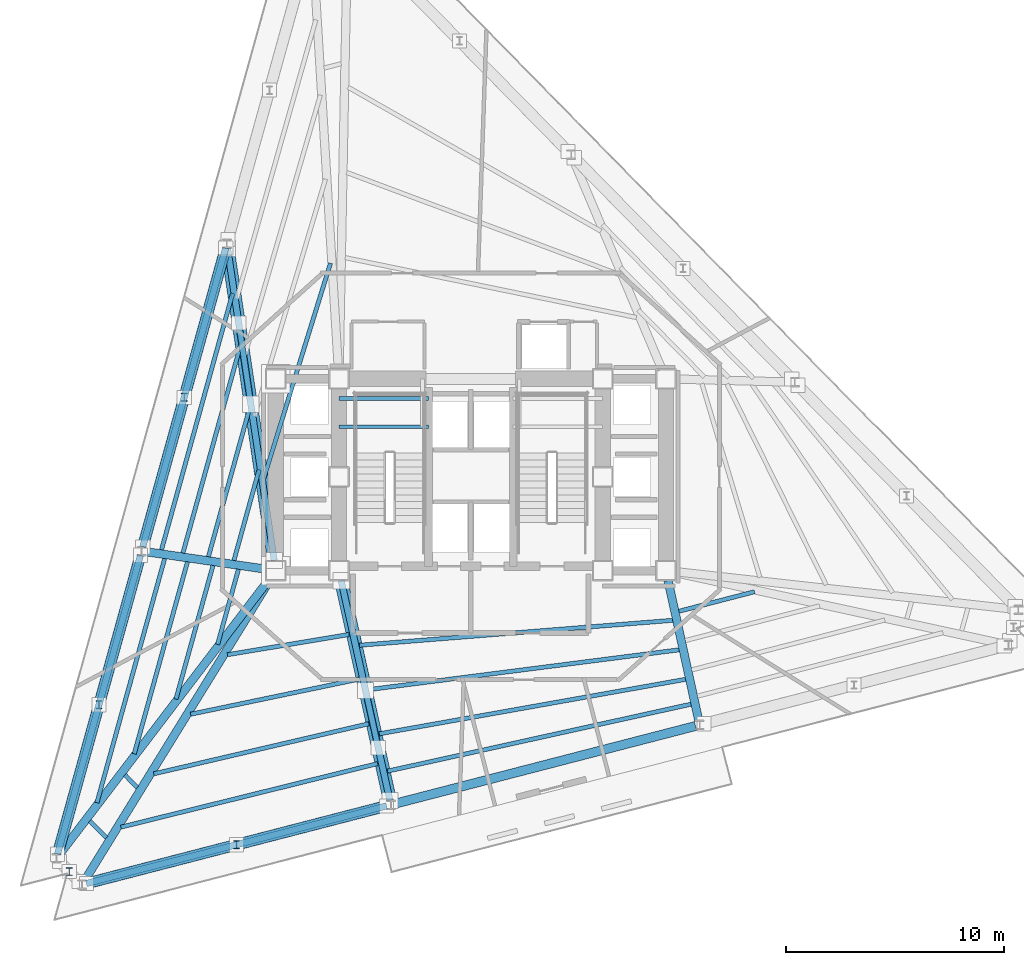
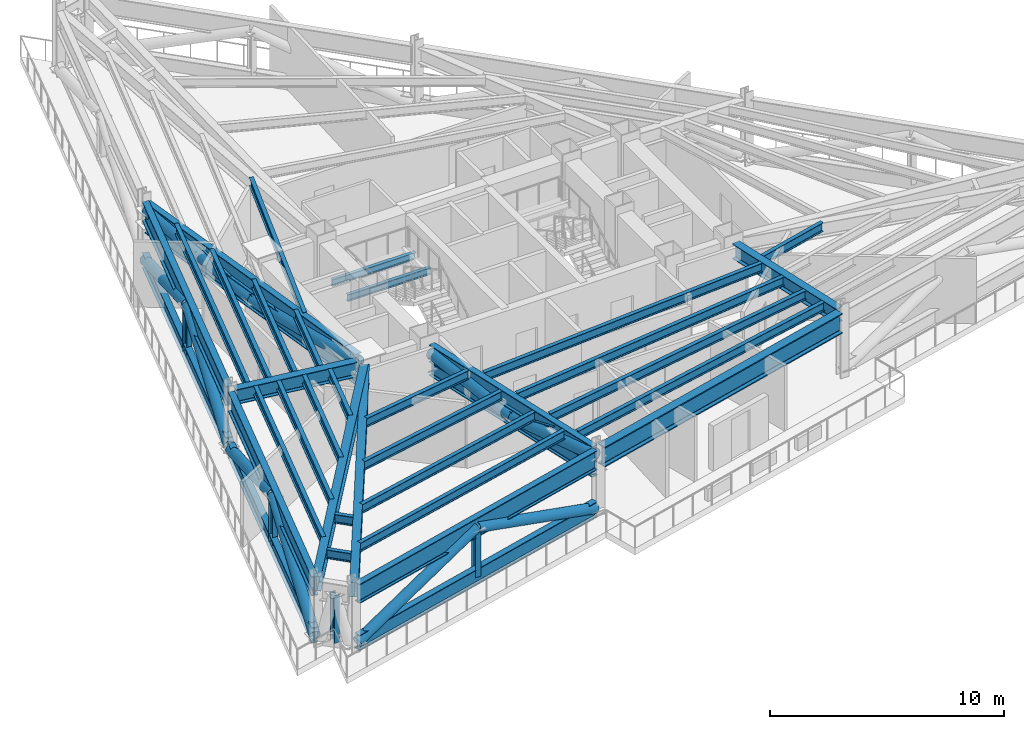
# One storey, part 2 of 11: 30 beams, 23 members.
"""IFC4 building model written with IfcOpenShell, lengths in metres."""

from ifc_helpers import new_model, si_unit, direction, frame, origin, origin_2d, place, context, subcontext, project, spatial, hollow_circle, i_section, extrude, material, material_profile, profile_set, type_object, element, save


model = new_model("IFC4")

# Units and contexts
model_context = context("Model", 3, precision=1e-05, world=origin(), true_north=direction((0.0, 1.0)))
body_context = subcontext(model_context, "Body", "Model", "MODEL_VIEW")
ifc_project = project(units=[si_unit("LENGTHUNIT", "METRE"), si_unit("AREAUNIT", "SQUARE_METRE"), si_unit("VOLUMEUNIT", "CUBIC_METRE"), si_unit("PLANEANGLEUNIT", "RADIAN"), si_unit("MASSUNIT", "GRAM", prefix="KILO")], contexts=[model_context])

# Site, building, storey
site_placement = place(None, origin())
site = spatial("IfcSite", under=ifc_project, at=site_placement, CompositionType="ELEMENT")
building_placement = place(site_placement, origin())
building = spatial("IfcBuilding", under=site, at=building_placement, Name="Rocaltana Carrier Exchange", CompositionType="ELEMENT")
storey_placement = place(building_placement, frame((0.0, 0.0, 100.800048828125)))
storey = spatial("IfcBuildingStorey", under=building, at=storey_placement, Name="L31", CompositionType="ELEMENT", Elevation=100.800048828125)

# Members
ifc_material_1 = material(Name="Steel S460", Category="steel")
ifc_material_profile_1 = material_profile(ifc_material_1, i_section(OverallWidth=0.300048828125, OverallDepth=0.800048828125, WebThickness=0.017578125, FlangeThickness=0.032958984375, FilletRadius=0.030029296875, at=origin_2d()), Name="HEB800")
ifc_profile_set_1 = profile_set([ifc_material_profile_1], Name="Steel S460")
member_type_1 = type_object("IfcMemberType", Name="Belt Truss Chord HEB800", PredefinedType="CHORD", material=ifc_profile_set_1)
for number, where, z_axis, x_axis, name in (
    (1, (-11.248046875, 10.50244140625, 0.349853515625), (-0.267232347751, -0.963632124991, 0.0), (0.963632124991, -0.267232347751, 0.0), "L31 Belt Truss Bottom Chord 6"),
    (2, (-15.15869140625, -3.5986328125, 0.349853515625), (-0.267232347751, -0.963632124991, 0.0), (0.963632124991, -0.267232347751, 0.0), "L31 Belt Truss Bottom Chord 7"),
    (3, (-17.638671875, -18.65625, 0.349853515625), (0.968147700404, 0.250379771953, 0.0), (-0.250379771953, 0.968147700404, 0.0), "L31 Belt Truss Bottom Chord 9"),
):
    element("IfcMember", number, at=place(storey_placement, frame(where, z_axis=z_axis, x_axis=x_axis)), inside=storey, type_object=member_type_1, Name=name, PredefinedType="CHORD", context=body_context, shape_type="SweptSolid", body=[
        extrude(i_section(OverallWidth=0.300048828125, OverallDepth=0.800048828125, WebThickness=0.017578125, FlangeThickness=0.032958984375, FilletRadius=0.030029296875, at=origin_2d()), origin(), (0.0, 0.0, 1.0), 14.229248046875),
    ])
ifc_material_2 = material(Name="Steel S460", Category="steel")
ifc_material_profile_2 = material_profile(ifc_material_2, hollow_circle(Radius=0.25390625, WallThickness=0.02001953125, at=origin_2d()), Name="CHS508X20")
ifc_profile_set_2 = profile_set([ifc_material_profile_2], Name="Steel S460")
member_type_2 = type_object("IfcMemberType", Name="Belt Truss Diagonal CHS508", PredefinedType="BRACE", material=ifc_profile_set_2)
for number, where, z_axis, x_axis, name in (
    (4, (-11.248046875, 10.50244140625, 0.349853515625), (-0.252271185161, -0.909608005971, 0.330109867485), (0.963626481057, -0.267252698781, 0.0), "L31 Belt Truss Diagonal 6A"),
    (5, (-13.1494140625, 3.646728515625, 2.837890625), (-0.252233421942, -0.909621029277, -0.33010283845), (0.963637768361, -0.267211997088, 0.0), "L31 Belt Truss Diagonal 6B"),
    (6, (-15.15869140625, -3.5986328125, 0.349853515625), (-0.252233421942, -0.909621029277, 0.33010283845), (0.963637768361, -0.267211997088, 0.0), "L31 Belt Truss Diagonal 7A"),
    (7, (-17.059814453125, -10.45458984375, 2.837890625), (-0.252271185161, -0.909608005971, -0.330109867485), (0.963626481057, -0.267252698781, 0.0), "L31 Belt Truss Diagonal 7B"),
):
    element("IfcMember", number, at=place(storey_placement, frame(where, z_axis=z_axis, x_axis=x_axis)), inside=storey, type_object=member_type_2, Name=name, PredefinedType="BRACE", context=body_context, shape_type="SweptSolid", body=[
        extrude(hollow_circle(Radius=0.25390625, WallThickness=0.02001953125, at=origin_2d()), origin(), (0.0, 0.0, 1.0), 7.537109375),
    ])
member_1_placement = place(storey_placement, frame((-17.638671875, -18.65625, 0.349853515625), z_axis=(0.913884582394, 0.236326005286, 0.33009845393), x_axis=(-0.250359531165, 0.968152934797, 0.0)))
element("IfcMember", 8, at=member_1_placement, inside=storey, type_object=member_type_2, Name="L31 Belt Truss Diagonal 9A", PredefinedType="BRACE", context=body_context, shape_type="SweptSolid", body=[
    extrude(hollow_circle(Radius=0.25390625, WallThickness=0.02001953125, at=origin_2d()), origin(), (0.0, 0.0, 1.0), 7.537353515625),
])
member_2_placement = place(storey_placement, frame((-10.75048828125, -16.875, 2.837890625), z_axis=(0.913872247161, 0.236363583721, -0.330105698466), x_axis=(-0.250400013131, 0.968142465459, 0.0)))
element("IfcMember", 9, at=member_2_placement, inside=storey, type_object=member_type_2, Name="L31 Belt Truss Diagonal 9B", PredefinedType="BRACE", context=body_context, shape_type="SweptSolid", body=[
    extrude(hollow_circle(Radius=0.25390625, WallThickness=0.02001953125, at=origin_2d()), origin(), (0.0, 0.0, 1.0), 7.537109375),
])
ifc_material_3 = material(Name="Steel S460", Category="steel")
ifc_material_profile_3 = material_profile(ifc_material_3, i_section(OverallWidth=0.257080078125, OverallDepth=0.363037109375, WebThickness=0.012939453125, FlangeThickness=0.021728515625, FilletRadius=0.014892578125, at=origin_2d()), Name="W14X82")
ifc_profile_set_3 = profile_set([ifc_material_profile_3], Name="Steel S460")
member_type_3 = type_object("IfcMemberType", Name="Belt Truss Post W14X82", PredefinedType="POST", material=ifc_profile_set_3)
for number, where, z_axis, x_axis, name in (
    (10, (-13.1494140625, 3.646728515625, 0.349853515625), (0.0, 0.0, 1.0), (1.0, 0.0, 0.0), "L31 Belt Truss Post 6"),
    (11, (-17.059814453125, -10.45458984375, 0.349853515625), (0.0, 0.0, 1.0), (1.0, 0.0, 0.0), "L31 Belt Truss Post 7"),
    (12, (-18.4248046875, -18.10595703125, 0.349853515625), (0.0, 0.0, 1.0), (1.0, 0.0, 0.0), "L31 Belt Truss Post 8"),
    (13, (-10.75048828125, -16.875, 0.349853515625), (0.0, 0.0, 1.0), (1.0, 0.0, 0.0), "L31 Belt Truss Post 9"),
):
    element("IfcMember", number, at=place(storey_placement, frame(where, z_axis=z_axis, x_axis=x_axis)), inside=storey, type_object=member_type_3, Name=name, PredefinedType="POST", context=body_context, shape_type="SweptSolid", body=[
        extrude(i_section(OverallWidth=0.257080078125, OverallDepth=0.363037109375, WebThickness=0.012939453125, FlangeThickness=0.021728515625, FilletRadius=0.014892578125, at=origin_2d()), origin(), (0.0, 0.0, 1.0), 2.488037109375),
    ])

# Beams
ifc_material_4 = material(Name="Steel S355", Category="steel")
ifc_material_profile_4 = material_profile(ifc_material_4, i_section(OverallWidth=0.172119140625, OverallDepth=0.35791015625, WebThickness=0.0078125, FlangeThickness=0.01318359375, FilletRadius=0.011962890625, at=origin_2d()), Name="W14X38")
ifc_profile_set_4 = profile_set([ifc_material_profile_4], Name="Steel S355")
beam_type_1 = type_object("IfcBeamType", Name="Floor Joist W14X38", PredefinedType="JOIST", material=ifc_profile_set_4)
for number, where, z_axis, x_axis, name in (
    (14, (-6.050048828125, 2.300048828125, 1.541015625), (1.0, 0.0, 0.0), (0.0, 1.0, 0.0), "L31 ST-1 Landing Carrier 1"),
    (15, (-6.050048828125, 3.60009765625, 1.541015625), (1.0, 0.0, 0.0), (0.0, 1.0, 0.0), "L31 ST-1 Landing Carrier 2"),
):
    element("IfcBeam", number, at=place(storey_placement, frame(where, z_axis=z_axis, x_axis=x_axis)), inside=storey, type_object=beam_type_1, Name=name, PredefinedType="JOIST", context=body_context, shape_type="SweptSolid", body=[
        extrude(i_section(OverallWidth=0.172119140625, OverallDepth=0.35791015625, WebThickness=0.0078125, FlangeThickness=0.01318359375, FilletRadius=0.011962890625, at=origin_2d()), origin(), (0.0, 0.0, 1.0), 4.110107421875),
    ])
ifc_material_5 = material(Name="Steel S355", Category="steel")
ifc_material_profile_5 = material_profile(ifc_material_5, i_section(OverallWidth=0.193115234375, OverallDepth=0.466064453125, WebThickness=0.011474609375, FlangeThickness=0.01904296875, FilletRadius=0.013916015625, at=origin_2d()), Name="W18X65")
ifc_profile_set_5 = profile_set([ifc_material_profile_5], Name="Steel S355")
beam_type_2 = type_object("IfcBeamType", Name="Floor Joist W18X65", PredefinedType="JOIST", material=ifc_profile_set_5)
beam_1_placement = place(storey_placement, frame((-6.437744140625, 9.80419921875, 3.18505859375), z_axis=(-0.29619503288, -0.95512747971, 0.0), x_axis=(0.95512747971, -0.29619503288, 0.0)))
element("IfcBeam", 16, at=beam_1_placement, inside=storey, type_object=beam_type_2, Name="FJ-L31-05-1", PredefinedType="JOIST", context=body_context, shape_type="SweptSolid", body=[
    extrude(i_section(OverallWidth=0.193115234375, OverallDepth=0.466064453125, WebThickness=0.011474609375, FlangeThickness=0.01904296875, FilletRadius=0.013916015625, at=origin_2d()), origin(), (0.0, 0.0, 1.0), 10.3427734375),
])
beam_2_placement = place(storey_placement, frame((-9.71728515625, 0.3212890625, 3.18505859375), z_axis=(-0.267252687552, -0.963626484171, 0.0), x_axis=(0.963626484171, -0.267252687552, 0.0)))
element("IfcBeam", 17, at=beam_2_placement, inside=storey, type_object=beam_type_2, Name="FJ-L31-06-1", PredefinedType="JOIST", context=body_context, shape_type="SweptSolid", body=[
    extrude(i_section(OverallWidth=0.193115234375, OverallDepth=0.466064453125, WebThickness=0.011474609375, FlangeThickness=0.01904296875, FilletRadius=0.013916015625, at=origin_2d()), origin(), (0.0, 0.0, 1.0), 4.313720703125),
])
beam_3_placement = place(storey_placement, frame((-10.143798828125, 3.1708984375, 3.18505859375), z_axis=(-0.267226726047, -0.963633683972, 0.0), x_axis=(0.963633683972, -0.267226726047, 0.0)))
element("IfcBeam", 18, at=beam_3_placement, inside=storey, type_object=beam_type_2, Name="FJ-L31-06-2", PredefinedType="JOIST", context=body_context, shape_type="SweptSolid", body=[
    extrude(i_section(OverallWidth=0.193115234375, OverallDepth=0.466064453125, WebThickness=0.011474609375, FlangeThickness=0.01904296875, FilletRadius=0.013916015625, at=origin_2d()), origin(), (0.0, 0.0, 1.0), 7.09423828125),
])
beam_4_placement = place(storey_placement, frame((-10.5703125, 6.020263671875, 3.18505859375), z_axis=(-0.267228118321, -0.963633297878, 0.0), x_axis=(0.963633297878, -0.267228118321, 0.0)))
element("IfcBeam", 19, at=beam_4_placement, inside=storey, type_object=beam_type_2, Name="FJ-L31-06-3", PredefinedType="JOIST", context=body_context, shape_type="SweptSolid", body=[
    extrude(i_section(OverallWidth=0.193115234375, OverallDepth=0.466064453125, WebThickness=0.011474609375, FlangeThickness=0.01904296875, FilletRadius=0.013916015625, at=origin_2d()), origin(), (0.0, 0.0, 1.0), 9.874267578125),
])
beam_5_placement = place(storey_placement, frame((-10.92919921875, 8.419921875, 3.18505859375), z_axis=(-0.267229463999, -0.963632924702, 0.0), x_axis=(0.963632924702, -0.267229463999, 0.0)))
element("IfcBeam", 20, at=beam_5_placement, inside=storey, type_object=beam_type_2, Name="FJ-L31-06-4", PredefinedType="JOIST", context=body_context, shape_type="SweptSolid", body=[
    extrude(i_section(OverallWidth=0.193115234375, OverallDepth=0.466064453125, WebThickness=0.011474609375, FlangeThickness=0.01904296875, FilletRadius=0.013916015625, at=origin_2d()), origin(), (0.0, 0.0, 1.0), 12.2158203125),
])
beam_6_placement = place(storey_placement, frame((-10.660888671875, -4.23583984375, 3.18505859375), z_axis=(-0.267313411488, -0.963609640902, 0.0), x_axis=(0.963609640902, -0.267313411488, 0.0)))
element("IfcBeam", 21, at=beam_6_placement, inside=storey, type_object=beam_type_2, Name="FJ-L31-07-1", PredefinedType="JOIST", context=body_context, shape_type="SweptSolid", body=[
    extrude(i_section(OverallWidth=0.193115234375, OverallDepth=0.466064453125, WebThickness=0.011474609375, FlangeThickness=0.01904296875, FilletRadius=0.013916015625, at=origin_2d()), origin(), (0.0, 0.0, 1.0), 3.58203125),
])
beam_7_placement = place(storey_placement, frame((-11.830322265625, -4.065673828125, 3.18505859375), z_axis=(-0.267267810183, -0.963622289925, 0.0), x_axis=(0.963622289925, -0.267267810183, 0.0)))
element("IfcBeam", 22, at=beam_7_placement, inside=storey, type_object=beam_type_2, Name="FJ-L31-07-2", PredefinedType="JOIST", context=body_context, shape_type="SweptSolid", body=[
    extrude(i_section(OverallWidth=0.193115234375, OverallDepth=0.466064453125, WebThickness=0.011474609375, FlangeThickness=0.01904296875, FilletRadius=0.013916015625, at=origin_2d()), origin(), (0.0, 0.0, 1.0), 6.3623046875),
])
beam_8_placement = place(storey_placement, frame((-12.999755859375, -3.895263671875, 3.18505859375), z_axis=(-0.26724306693, -0.963629152308, 0.0), x_axis=(0.963629152308, -0.26724306693, 0.0)))
element("IfcBeam", 23, at=beam_8_placement, inside=storey, type_object=beam_type_2, Name="FJ-L31-07-3", PredefinedType="JOIST", context=body_context, shape_type="SweptSolid", body=[
    extrude(i_section(OverallWidth=0.193115234375, OverallDepth=0.466064453125, WebThickness=0.011474609375, FlangeThickness=0.01904296875, FilletRadius=0.013916015625, at=origin_2d()), origin(), (0.0, 0.0, 1.0), 9.142822265625),
])
beam_9_placement = place(storey_placement, frame((-14.046142578125, -3.742919921875, 3.18505859375), z_axis=(-0.267241094862, -0.963629699219, 0.0), x_axis=(0.963629699219, -0.267241094862, 0.0)))
element("IfcBeam", 24, at=beam_9_placement, inside=storey, type_object=beam_type_2, Name="FJ-L31-07-4", PredefinedType="JOIST", context=body_context, shape_type="SweptSolid", body=[
    extrude(i_section(OverallWidth=0.193115234375, OverallDepth=0.466064453125, WebThickness=0.011474609375, FlangeThickness=0.01904296875, FilletRadius=0.013916015625, at=origin_2d()), origin(), (0.0, 0.0, 1.0), 11.630615234375),
])
beam_10_placement = place(storey_placement, frame((-15.8662109375, -13.67529296875, 3.18505859375), z_axis=(0.700902454566, -0.713257140997, 0.0), x_axis=(0.713257140997, 0.700902454566, 0.0)))
element("IfcBeam", 25, at=beam_10_placement, inside=storey, type_object=beam_type_2, Name="FJ-L31-08-3", PredefinedType="JOIST", context=body_context, shape_type="SweptSolid", body=[
    extrude(i_section(OverallWidth=0.193115234375, OverallDepth=0.466064453125, WebThickness=0.011474609375, FlangeThickness=0.01904296875, FilletRadius=0.013916015625, at=origin_2d()), origin(), (0.0, 0.0, 1.0), 0.810302734375),
])
beam_11_placement = place(storey_placement, frame((-17.476806640625, -15.7880859375, 3.18505859375), z_axis=(0.700977124816, -0.713183756464, 0.0), x_axis=(0.713183756464, 0.700977124816, 0.0)))
element("IfcBeam", 26, at=beam_11_placement, inside=storey, type_object=beam_type_2, Name="FJ-L31-08-4", PredefinedType="JOIST", context=body_context, shape_type="SweptSolid", body=[
    extrude(i_section(OverallWidth=0.193115234375, OverallDepth=0.466064453125, WebThickness=0.011474609375, FlangeThickness=0.01904296875, FilletRadius=0.013916015625, at=origin_2d()), origin(), (0.0, 0.0, 1.0), 1.080078125),
])
beam_12_placement = place(storey_placement, frame((-11.166748046875, -8.159423828125, 3.18505859375), z_axis=(0.986428907039, 0.164188950169, 0.0), x_axis=(-0.164188950169, 0.986428907039, 0.0)))
element("IfcBeam", 27, at=beam_12_placement, inside=storey, type_object=beam_type_2, Name="FJ-L31-09-1", PredefinedType="JOIST", context=body_context, shape_type="SweptSolid", body=[
    extrude(i_section(OverallWidth=0.193115234375, OverallDepth=0.466064453125, WebThickness=0.011474609375, FlangeThickness=0.01904296875, FilletRadius=0.013916015625, at=origin_2d()), origin(), (0.0, 0.0, 1.0), 5.65478515625),
])
beam_13_placement = place(storey_placement, frame((-12.856201171875, -10.889404296875, 3.18505859375), z_axis=(0.978944354065, 0.204127292749, 0.0), x_axis=(-0.204127292749, 0.978944354065, 0.0)))
element("IfcBeam", 28, at=beam_13_placement, inside=storey, type_object=beam_type_2, Name="FJ-L31-09-2", PredefinedType="JOIST", context=body_context, shape_type="SweptSolid", body=[
    extrude(i_section(OverallWidth=0.193115234375, OverallDepth=0.466064453125, WebThickness=0.011474609375, FlangeThickness=0.01904296875, FilletRadius=0.013916015625, at=origin_2d()), origin(), (0.0, 0.0, 1.0), 7.8876953125),
])
beam_14_placement = place(storey_placement, frame((-14.544921875, -13.62255859375, 3.18505859375), z_axis=(0.973924355025, 0.226872983603, 0.0), x_axis=(-0.226872983603, 0.973924355025, 0.0)))
element("IfcBeam", 29, at=beam_14_placement, inside=storey, type_object=beam_type_2, Name="FJ-L31-09-3", PredefinedType="JOIST", context=body_context, shape_type="SweptSolid", body=[
    extrude(i_section(OverallWidth=0.193115234375, OverallDepth=0.466064453125, WebThickness=0.011474609375, FlangeThickness=0.01904296875, FilletRadius=0.013916015625, at=origin_2d()), origin(), (0.0, 0.0, 1.0), 10.12841796875),
])
beam_15_placement = place(storey_placement, frame((-16.055908203125, -16.0693359375, 3.18505859375), z_axis=(0.970711345623, 0.24024879496, 0.0), x_axis=(-0.24024879496, 0.970711345623, 0.0)))
element("IfcBeam", 30, at=beam_15_placement, inside=storey, type_object=beam_type_2, Name="FJ-L31-09-4", PredefinedType="JOIST", context=body_context, shape_type="SweptSolid", body=[
    extrude(i_section(OverallWidth=0.193115234375, OverallDepth=0.466064453125, WebThickness=0.011474609375, FlangeThickness=0.01904296875, FilletRadius=0.013916015625, at=origin_2d()), origin(), (0.0, 0.0, 1.0), 12.136474609375),
])
beam_16_placement = place(storey_placement, frame((-5.103515625, -7.72314453125, 3.18505859375), z_axis=(0.99684799905, 0.079335154814, 0.0), x_axis=(-0.079335154814, 0.99684799905, 0.0)))
element("IfcBeam", 31, at=beam_16_placement, inside=storey, type_object=beam_type_2, Name="FJ-L31-10-1", PredefinedType="JOIST", context=body_context, shape_type="SweptSolid", body=[
    extrude(i_section(OverallWidth=0.193115234375, OverallDepth=0.466064453125, WebThickness=0.011474609375, FlangeThickness=0.01904296875, FilletRadius=0.013916015625, at=origin_2d()), origin(), (0.0, 0.0, 1.0), 14.4111328125),
])
beam_17_placement = place(storey_placement, frame((-4.651611328125, -9.75537109375, 3.18505859375), z_axis=(0.991883097681, 0.127153138121, 0.0), x_axis=(-0.127153138121, 0.991883097681, 0.0)))
element("IfcBeam", 32, at=beam_17_placement, inside=storey, type_object=beam_type_2, Name="FJ-L31-10-2", PredefinedType="JOIST", context=body_context, shape_type="SweptSolid", body=[
    extrude(i_section(OverallWidth=0.193115234375, OverallDepth=0.466064453125, WebThickness=0.011474609375, FlangeThickness=0.01904296875, FilletRadius=0.013916015625, at=origin_2d()), origin(), (0.0, 0.0, 1.0), 14.325439453125),
])
beam_18_placement = place(storey_placement, frame((-4.2001953125, -11.78759765625, 3.18505859375), z_axis=(0.984543638318, 0.175139442297, 0.0), x_axis=(-0.175139442297, 0.984543638318, 0.0)))
element("IfcBeam", 33, at=beam_18_placement, inside=storey, type_object=beam_type_2, Name="FJ-L31-10-3", PredefinedType="JOIST", context=body_context, shape_type="SweptSolid", body=[
    extrude(i_section(OverallWidth=0.193115234375, OverallDepth=0.466064453125, WebThickness=0.011474609375, FlangeThickness=0.01904296875, FilletRadius=0.013916015625, at=origin_2d()), origin(), (0.0, 0.0, 1.0), 14.2744140625),
])
beam_19_placement = place(storey_placement, frame((-3.820556640625, -13.4990234375, 3.18505859375), z_axis=(0.976525097639, 0.215403652896, 0.0), x_axis=(-0.215403652896, 0.976525097639, 0.0)))
element("IfcBeam", 34, at=beam_19_placement, inside=storey, type_object=beam_type_2, Name="FJ-L31-10-4", PredefinedType="JOIST", context=body_context, shape_type="SweptSolid", body=[
    extrude(i_section(OverallWidth=0.193115234375, OverallDepth=0.466064453125, WebThickness=0.011474609375, FlangeThickness=0.01904296875, FilletRadius=0.013916015625, at=origin_2d()), origin(), (0.0, 0.0, 1.0), 14.25830078125),
])
beam_20_placement = place(storey_placement, frame((9.547119140625, -6.1650390625, 3.18505859375), z_axis=(0.968158589592, 0.250337662765, 0.0), x_axis=(-0.250337662765, 0.968158589592, 0.0)))
element("IfcBeam", 35, at=beam_20_placement, inside=storey, type_object=beam_type_2, Name="FJ-L31-11-1", PredefinedType="JOIST", context=body_context, shape_type="SweptSolid", body=[
    extrude(i_section(OverallWidth=0.193115234375, OverallDepth=0.466064453125, WebThickness=0.011474609375, FlangeThickness=0.01904296875, FilletRadius=0.013916015625, at=origin_2d()), origin(), (0.0, 0.0, 1.0), 3.58203125),
])

# Members
ifc_material_6 = material(Name="Steel S460", Category="steel")
ifc_material_profile_6 = material_profile(ifc_material_6, i_section(OverallWidth=0.300048828125, OverallDepth=0.89990234375, WebThickness=0.0185546875, FlangeThickness=0.034912109375, FilletRadius=0.030029296875, at=origin_2d()), Name="HEB900")
ifc_profile_set_6 = profile_set([ifc_material_profile_6], Name="Steel S460")
member_type_4 = type_object("IfcMemberType", Name="Outrigger Chord HEB900", PredefinedType="CHORD", material=ifc_profile_set_6)
for number, where, z_axis, x_axis, name in (
    (36, (-9.019775390625, -3.834228515625, 2.239990234375), (-0.147989485852, 0.988988934254, 0.0), (-0.988988934254, -0.147989485852, 0.0), "L31 Outrigger Bottom Chord 6"),
    (37, (-9.019775390625, -3.834228515625, 2.93798828125), (-0.147989485852, 0.988988934254, 0.0), (-0.988988934254, -0.147989485852, 0.0), "L31 Outrigger Top Chord 6"),
):
    element("IfcMember", number, at=place(storey_placement, frame(where, z_axis=z_axis, x_axis=x_axis)), inside=storey, type_object=member_type_4, Name=name, PredefinedType="CHORD", context=body_context, shape_type="SweptSolid", body=[
        extrude(i_section(OverallWidth=0.300048828125, OverallDepth=0.89990234375, WebThickness=0.0185546875, FlangeThickness=0.034912109375, FilletRadius=0.030029296875, at=origin_2d()), origin(), (0.0, 0.0, 1.0), 14.4912109375),
    ])
for number, where, z_axis, x_axis, name in (
    (38, (-5.947998046875, -4.759765625, 2.239990234375), (0.2165601209, -0.976269283567, 0.0), (0.976269283567, 0.2165601209, 0.0), "L31 Outrigger Bottom Chord 10"),
    (39, (-5.947998046875, -4.759765625, 2.93798828125), (0.2165601209, -0.976269283567, 0.0), (0.976269283567, 0.2165601209, 0.0), "L31 Outrigger Top Chord 10"),
):
    element("IfcMember", number, at=place(storey_placement, frame(where, z_axis=z_axis, x_axis=x_axis)), inside=storey, type_object=member_type_4, Name=name, PredefinedType="CHORD", context=body_context, shape_type="SweptSolid", body=[
        extrude(i_section(OverallWidth=0.300048828125, OverallDepth=0.89990234375, WebThickness=0.0185546875, FlangeThickness=0.034912109375, FilletRadius=0.030029296875, at=origin_2d()), origin(), (0.0, 0.0, 1.0), 10.3310546875),
    ])
ifc_material_7 = material(Name="Steel S460", Category="steel")
ifc_material_profile_7 = material_profile(ifc_material_7, hollow_circle(Radius=0.304931640625, WallThickness=0.02490234375, at=origin_2d()), Name="CHS610X25")
ifc_profile_set_7 = profile_set([ifc_material_profile_7], Name="Steel S460")
member_type_5 = type_object("IfcMemberType", Name="Outrigger Diagonal CHS610", PredefinedType="BRACE", material=ifc_profile_set_7)
for number, where, z_axis, x_axis, name in (
    (40, (-9.019775390625, -3.834228515625, 2.93798828125), (-0.147307530083, 0.98443153813, -0.095890762411), (-0.988988934254, -0.147989485852, 0.0), "L31 Outrigger Inner Diagonal 6"),
    (41, (-10.092041015625, 3.33154296875, 2.239990234375), (-0.147307530083, 0.98443153813, 0.095890762411), (-0.988988934254, -0.147989485852, 0.0), "L31 Outrigger Outer Diagonal 6"),
):
    element("IfcMember", number, at=place(storey_placement, frame(where, z_axis=z_axis, x_axis=x_axis)), inside=storey, type_object=member_type_5, Name=name, PredefinedType="BRACE", context=body_context, shape_type="SweptSolid", body=[
        extrude(hollow_circle(Radius=0.304931640625, WallThickness=0.02490234375, at=origin_2d()), origin(), (0.0, 0.0, 1.0), 7.279052734375),
    ])
for number, where, z_axis, x_axis, name in (
    (42, (-5.947998046875, -4.759765625, 2.93798828125), (0.214609712809, -0.967476697463, -0.133908592082), (0.976269283567, 0.2165601209, 0.0), "L31 Outrigger Inner Diagonal 10"),
    (43, (-4.829345703125, -9.802734375, 2.239990234375), (0.214609712809, -0.967476697463, 0.133908592082), (0.976269283567, 0.2165601209, 0.0), "L31 Outrigger Outer Diagonal 10"),
):
    element("IfcMember", number, at=place(storey_placement, frame(where, z_axis=z_axis, x_axis=x_axis)), inside=storey, type_object=member_type_5, Name=name, PredefinedType="BRACE", context=body_context, shape_type="SweptSolid", body=[
        extrude(hollow_circle(Radius=0.304931640625, WallThickness=0.02490234375, at=origin_2d()), origin(), (0.0, 0.0, 1.0), 5.21240234375),
    ])

# Beams
ifc_material_8 = material(Name="Steel S355", Category="steel")
ifc_material_profile_8 = material_profile(ifc_material_8, i_section(OverallWidth=0.381103515625, OverallDepth=0.77294921875, WebThickness=0.0166015625, FlangeThickness=0.027099609375, FilletRadius=0.01904296875, at=origin_2d()), Name="W30X173")
ifc_profile_set_8 = profile_set([ifc_material_profile_8], Name="Steel S355")
beam_type_3 = type_object("IfcBeamType", Name="Plant Floor Girder W30X173", PredefinedType="BEAM", material=ifc_profile_set_8)
beam_21_placement = place(storey_placement, frame((-9.412109375, -4.232666015625, 3.031494140625), z_axis=(-0.989566167389, 0.144079146162, 0.0), x_axis=(-0.144079146162, -0.989566167389, 0.0)))
element("IfcBeam", 44, at=beam_21_placement, inside=storey, type_object=beam_type_3, Name="RG-L31-07", PredefinedType="BEAM", context=body_context, shape_type="SweptSolid", body=[
    extrude(i_section(OverallWidth=0.381103515625, OverallDepth=0.77294921875, WebThickness=0.0166015625, FlangeThickness=0.027099609375, FilletRadius=0.01904296875, at=origin_2d()), origin(), (0.0, 0.0, 1.0), 5.554443359375),
])
beam_22_placement = place(storey_placement, frame((-9.233154296875, -4.67138671875, 3.031494140625), z_axis=(-0.606201959284, -0.795310747168, 0.0), x_axis=(0.795310747168, -0.606201959284, 0.0)))
element("IfcBeam", 45, at=beam_22_placement, inside=storey, type_object=beam_type_3, Name="RG-L31-08", PredefinedType="BEAM", context=body_context, shape_type="SweptSolid", body=[
    extrude(i_section(OverallWidth=0.381103515625, OverallDepth=0.77294921875, WebThickness=0.0166015625, FlangeThickness=0.027099609375, FilletRadius=0.01904296875, at=origin_2d()), origin(), (0.0, 0.0, 1.0), 15.938720703125),
])
beam_23_placement = place(storey_placement, frame((-9.195068359375, -4.697509765625, 3.031494140625), z_axis=(-0.52488797783, -0.851171316909, 0.0), x_axis=(0.851171316909, -0.52488797783, 0.0)))
element("IfcBeam", 46, at=beam_23_placement, inside=storey, type_object=beam_type_3, Name="RG-L31-09", PredefinedType="BEAM", context=body_context, shape_type="SweptSolid", body=[
    extrude(i_section(OverallWidth=0.381103515625, OverallDepth=0.77294921875, WebThickness=0.0166015625, FlangeThickness=0.027099609375, FilletRadius=0.01904296875, at=origin_2d()), origin(), (0.0, 0.0, 1.0), 16.260986328125),
])
beam_24_placement = place(storey_placement, frame((9.0498046875, -4.756103515625, 3.031494140625), z_axis=(0.213917013251, -0.976851836996, 0.0), x_axis=(0.976851836996, 0.213917013251, 0.0)))
element("IfcBeam", 47, at=beam_24_placement, inside=storey, type_object=beam_type_3, Name="RG-L31-11", PredefinedType="BEAM", context=body_context, shape_type="SweptSolid", body=[
    extrude(i_section(OverallWidth=0.381103515625, OverallDepth=0.77294921875, WebThickness=0.0166015625, FlangeThickness=0.027099609375, FilletRadius=0.01904296875, at=origin_2d()), origin(), (0.0, 0.0, 1.0), 6.581787109375),
])
ifc_material_9 = material(Name="Steel S460", Category="steel")
ifc_material_profile_9 = material_profile(ifc_material_9, i_section(OverallWidth=0.4189453125, OverallDepth=1.041015625, WebThickness=0.031005859375, FlangeThickness=0.055908203125, FilletRadius=0.02490234375, at=origin_2d()), Name="W40X397")
ifc_profile_set_9 = profile_set([ifc_material_profile_9], Name="Steel S460")
beam_type_4 = type_object("IfcBeamType", Name="Transfer Girder W40X397", PredefinedType="USERDEFINED", material=ifc_profile_set_9)
beam_25_placement = place(storey_placement, frame((-3.475341796875, -14.993408203125, 2.8974609375), z_axis=(0.968148846625, 0.250375339797, 0.0), x_axis=(-0.250375339797, 0.968148846625, 0.0)))
element("IfcBeam", 48, at=beam_25_placement, inside=storey, type_object=beam_type_4, Name="SP-L31-10", ObjectType="TRANSFER GIRDER", PredefinedType="USERDEFINED", context=body_context, shape_type="SweptSolid", body=[
    extrude(i_section(OverallWidth=0.4189453125, OverallDepth=1.041015625, WebThickness=0.031005859375, FlangeThickness=0.055908203125, FilletRadius=0.02490234375, at=origin_2d()), origin(), (0.0, 0.0, 1.0), 14.2373046875),
])
ifc_material_10 = material(Name="Steel S460", Category="steel")
ifc_material_profile_10 = material_profile(ifc_material_10, i_section(OverallWidth=0.302001953125, OverallDepth=1.008056640625, WebThickness=0.02099609375, FlangeThickness=0.0400390625, FilletRadius=0.030029296875, at=origin_2d()), Name="HEM1000")
ifc_profile_set_10 = profile_set([ifc_material_profile_10], Name="Steel S460")
beam_type_5 = type_object("IfcBeamType", Name="Transfer Ring Girder HEM1000", PredefinedType="USERDEFINED", material=ifc_profile_set_10)
for number, where, z_axis, x_axis, name in (
    (49, (-11.2470703125, 10.50634765625, 2.9140625), (-0.267234351395, -0.963631569343, 0.0), (0.963631569343, -0.267234351395, 0.0), "SP-L31-06"),
    (50, (-15.157470703125, -3.5947265625, 2.9140625), (-0.26725027467, -0.963627153358, 0.0), (0.963627153358, -0.26725027467, 0.0), "SP-L31-07"),
    (51, (-17.642578125, -18.6572265625, 2.9140625), (0.968148846625, 0.250375339797, 0.0), (-0.250375339797, 0.968148846625, 0.0), "SP-L31-09"),
):
    element("IfcBeam", number, at=place(storey_placement, frame(where, z_axis=z_axis, x_axis=x_axis)), inside=storey, type_object=beam_type_5, Name=name, ObjectType="TRANSFER GIRDER", PredefinedType="USERDEFINED", context=body_context, shape_type="SweptSolid", body=[
        extrude(i_section(OverallWidth=0.302001953125, OverallDepth=1.008056640625, WebThickness=0.02099609375, FlangeThickness=0.0400390625, FilletRadius=0.030029296875, at=origin_2d()), origin(), (0.0, 0.0, 1.0), 14.2373046875),
    ])

# Members
ifc_material_11 = material(Name="Steel S460", Category="steel")
ifc_material_profile_11 = material_profile(ifc_material_11, i_section(OverallWidth=0.257080078125, OverallDepth=0.363037109375, WebThickness=0.012939453125, FlangeThickness=0.021728515625, FilletRadius=0.014892578125, at=origin_2d()), Name="W14X82")
ifc_profile_set_11 = profile_set([ifc_material_profile_11], Name="Steel S460")
member_type_6 = type_object("IfcMemberType", Name="Wind Floor Tie Strut W14X82", PredefinedType="STRUT", material=ifc_profile_set_11)
member_3_placement = place(storey_placement, frame((-10.092041015625, 3.33154296875, 2.239990234375), z_axis=(-0.145456761144, 0.972451399622, 0.182155444639), x_axis=(-0.988997580045, -0.147931695947, 0.0)))
element("IfcMember", 52, at=member_3_placement, inside=storey, type_object=member_type_6, Name="L31 Wind Floor Tie Strut 6", PredefinedType="STRUT", context=body_context, shape_type="SweptSolid", body=[
    extrude(i_section(OverallWidth=0.257080078125, OverallDepth=0.363037109375, WebThickness=0.012939453125, FlangeThickness=0.021728515625, FilletRadius=0.014892578125, at=origin_2d()), origin(), (0.0, 0.0, 1.0), 3.831787109375),
])
member_4_placement = place(storey_placement, frame((-4.829345703125, -9.802734375, 2.239990234375), z_axis=(0.209547325288, -0.94489832952, 0.251509573047), x_axis=(0.976281069266, 0.216506983241, 0.0)))
element("IfcMember", 53, at=member_4_placement, inside=storey, type_object=member_type_6, Name="L31 Wind Floor Tie Strut 10", PredefinedType="STRUT", context=body_context, shape_type="SweptSolid", body=[
    extrude(i_section(OverallWidth=0.257080078125, OverallDepth=0.363037109375, WebThickness=0.012939453125, FlangeThickness=0.021728515625, FilletRadius=0.014892578125, at=origin_2d()), origin(), (0.0, 0.0, 1.0), 2.775146484375),
])

save(model, "model.ifc")
